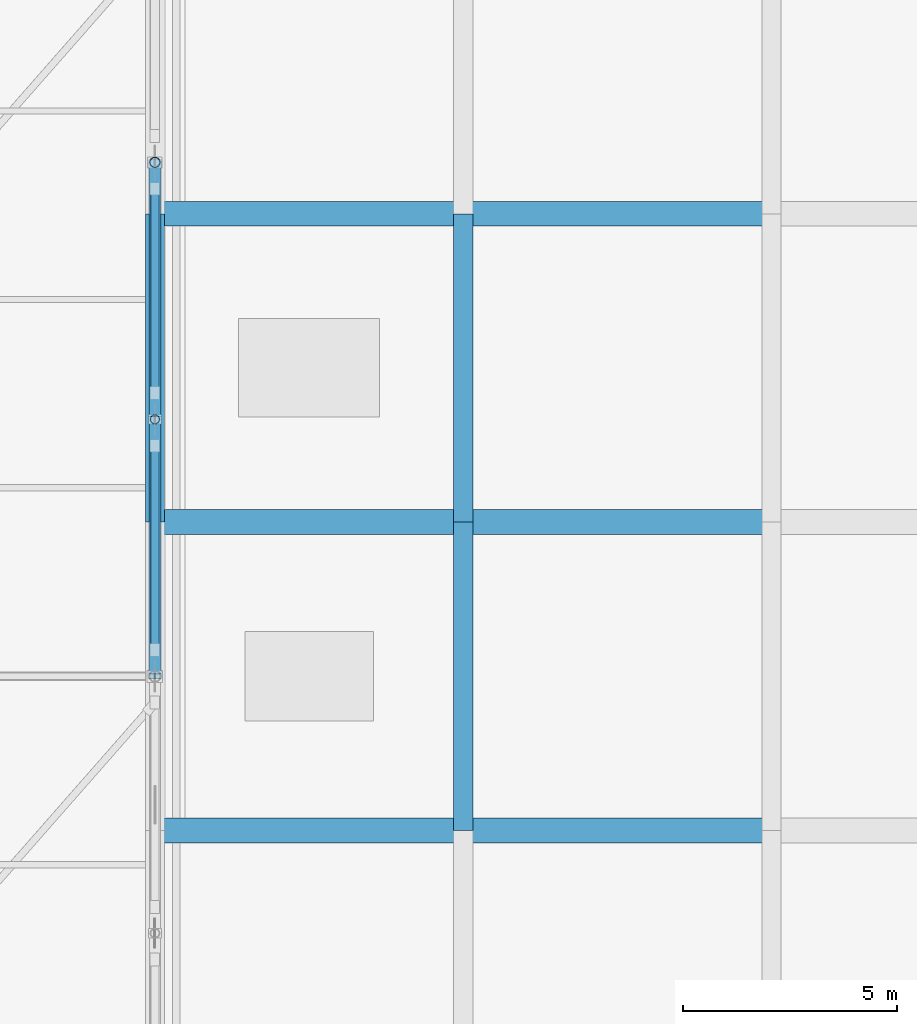
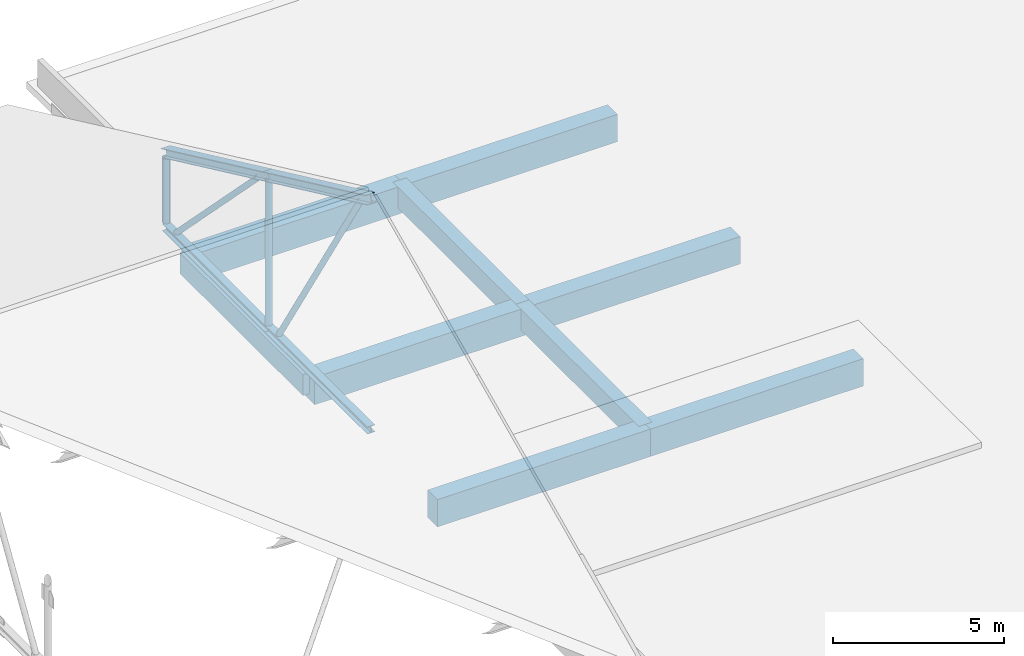
# One storey, part 110 of 141: 9 beams, 8 members, 1 element without a shape of its own.
"""IFC4 building model written with IfcOpenShell, lengths in metres."""

from ifc_helpers import new_model, si_unit, direction, frame, origin, origin_2d, place, context, subcontext, project, spatial, rectangle, hollow_circle, i_section, extrude, material, material_profile, profile_set, type_object, element, aggregate, save


model = new_model("IFC4")

# Units and contexts
model_context = context("Model", 3, precision=1e-05, world=origin(), true_north=direction((0.0, 1.0)))
body_context = subcontext(model_context, "Body", "Model", "MODEL_VIEW")
ifc_project = project(units=[si_unit("LENGTHUNIT", "METRE"), si_unit("AREAUNIT", "SQUARE_METRE"), si_unit("VOLUMEUNIT", "CUBIC_METRE"), si_unit("PLANEANGLEUNIT", "RADIAN"), si_unit("MASSUNIT", "GRAM", prefix="KILO")], contexts=[model_context])

# Site, building, storey
site_placement = place(None, origin())
site = spatial("IfcSite", under=ifc_project, at=site_placement, CompositionType="ELEMENT")
building_placement = place(site_placement, origin())
building = spatial("IfcBuilding", under=site, at=building_placement, Name="Seraya Terrace Polytechnic", CompositionType="ELEMENT")
storey_placement = place(building_placement, frame((0.0, 0.0, 14.39990234375)))
storey = spatial("IfcBuildingStorey", under=building, at=storey_placement, Name="L03", CompositionType="ELEMENT", Elevation=14.39990234375)

# Assembly, members
ifc_material_1 = material(Name="Steel S355J2", Category="steel")
element_assembly_type = type_object("IfcElementAssemblyType", Name="TR-A1", PredefinedType="TRUSS", material=ifc_material_1)
assembly_placement = place(storey_placement, origin())
assembly = element("IfcElementAssembly", 1, at=assembly_placement, inside=storey, type_object=element_assembly_type, Name="Pitched steel roof truss TR-08", AssemblyPlace="SITE", PredefinedType="TRUSS")
ifc_material_profile_1 = material_profile(ifc_material_1, i_section(OverallWidth=0.25390625, OverallDepth=0.25390625, WebThickness=0.0107421875, FlangeThickness=0.017333984375, at=origin_2d()), Name="UKC 254x254x10.7x17.3")
ifc_profile_set_1 = profile_set([ifc_material_profile_1], Name="Steel S355J2")
member_type_1 = type_object("IfcMemberType", Name="BC-02", PredefinedType="CHORD", material=ifc_profile_set_1)
member_1_placement = place(storey_placement, frame((115.199951171875, 97.199951171875, 0.150146484375), z_axis=(0.0, 1.0, 0.0), x_axis=(-1.0, 0.0, 0.0)))
member_1 = element("IfcMember", 2, at=member_1_placement, type_object=member_type_1, Name="TR-08 bottom chord 4", PredefinedType="CHORD", context=body_context, shape_type="SweptSolid", body=[
    extrude(i_section(OverallWidth=0.25390625, OverallDepth=0.25390625, WebThickness=0.0107421875, FlangeThickness=0.017333984375, at=origin_2d()), origin(), (0.0, 0.0, 1.0), 6.0),
])
member_2_placement = place(storey_placement, frame((115.199951171875, 103.199951171875, 0.150146484375), z_axis=(0.0, 1.0, 0.0), x_axis=(-1.0, 0.0, 0.0)))
member_2 = element("IfcMember", 3, at=member_2_placement, type_object=member_type_1, Name="TR-08 bottom chord 5", PredefinedType="CHORD", context=body_context, shape_type="SweptSolid", body=[
    extrude(i_section(OverallWidth=0.25390625, OverallDepth=0.25390625, WebThickness=0.0107421875, FlangeThickness=0.017333984375, at=origin_2d()), origin(), (0.0, 0.0, 1.0), 6.0),
])

# Beams
ifc_material_2 = material(Name="Concrete C40/50", Category="concrete")
ifc_material_profile_2 = material_profile(ifc_material_2, rectangle(XDim=0.580078125, YDim=0.97998046875, at=origin_2d()), Name="RC 580x980")
ifc_profile_set_2 = profile_set([ifc_material_profile_2], Name="Concrete C40/50")
beam_type_1 = type_object("IfcBeamType", Name="BM-02", PredefinedType="BEAM", material=ifc_profile_set_2)
beam_1_placement = place(storey_placement, frame((115.199951171875, 93.60009765625, -0.489990234375), z_axis=(1.0, 0.0, 0.0), x_axis=(0.0, 1.0, 0.0)))
element("IfcBeam", 4, at=beam_1_placement, inside=storey, type_object=beam_type_1, Name="Beam BM-02 L03 X (115.2..122.4, 93.6)", PredefinedType="BEAM", context=body_context, shape_type="SweptSolid", body=[
    extrude(rectangle(XDim=0.580078125, YDim=0.97998046875, at=origin_2d()), origin(), (0.0, 0.0, 1.0), 7.199951171875),
])
beam_2_placement = place(storey_placement, frame((122.39990234375, 93.60009765625, -0.489990234375), z_axis=(1.0, 0.0, 0.0), x_axis=(0.0, 1.0, 0.0)))
element("IfcBeam", 5, at=beam_2_placement, inside=storey, type_object=beam_type_1, Name="Beam BM-02 L03 X (122.4..129.6, 93.6)", PredefinedType="BEAM", context=body_context, shape_type="SweptSolid", body=[
    extrude(rectangle(XDim=0.580078125, YDim=0.97998046875, at=origin_2d()), origin(), (0.0, 0.0, 1.0), 7.2001953125),
])
beam_3_placement = place(storey_placement, frame((115.199951171875, 100.800048828125, -0.489990234375), z_axis=(1.0, 0.0, 0.0), x_axis=(0.0, 1.0, 0.0)))
element("IfcBeam", 6, at=beam_3_placement, inside=storey, type_object=beam_type_1, Name="Beam BM-02 L03 X (115.2..122.4, 100.8)", PredefinedType="BEAM", context=body_context, shape_type="SweptSolid", body=[
    extrude(rectangle(XDim=0.580078125, YDim=0.97998046875, at=origin_2d()), origin(), (0.0, 0.0, 1.0), 7.199951171875),
])
beam_4_placement = place(storey_placement, frame((122.39990234375, 100.800048828125, -0.489990234375), z_axis=(1.0, 0.0, 0.0), x_axis=(0.0, 1.0, 0.0)))
element("IfcBeam", 7, at=beam_4_placement, inside=storey, type_object=beam_type_1, Name="Beam BM-02 L03 X (122.4..129.6, 100.8)", PredefinedType="BEAM", context=body_context, shape_type="SweptSolid", body=[
    extrude(rectangle(XDim=0.580078125, YDim=0.97998046875, at=origin_2d()), origin(), (0.0, 0.0, 1.0), 7.2001953125),
])
beam_5_placement = place(storey_placement, frame((115.199951171875, 108.0, -0.489990234375), z_axis=(1.0, 0.0, 0.0), x_axis=(0.0, 1.0, 0.0)))
element("IfcBeam", 8, at=beam_5_placement, inside=storey, type_object=beam_type_1, Name="Beam BM-02 L03 X (115.2..122.4, 108.0)", PredefinedType="BEAM", context=body_context, shape_type="SweptSolid", body=[
    extrude(rectangle(XDim=0.580078125, YDim=0.97998046875, at=origin_2d()), origin(), (0.0, 0.0, 1.0), 7.199951171875),
])
beam_6_placement = place(storey_placement, frame((122.39990234375, 108.0, -0.489990234375), z_axis=(1.0, 0.0, 0.0), x_axis=(0.0, 1.0, 0.0)))
element("IfcBeam", 9, at=beam_6_placement, inside=storey, type_object=beam_type_1, Name="Beam BM-02 L03 X (122.4..129.6, 108.0)", PredefinedType="BEAM", context=body_context, shape_type="SweptSolid", body=[
    extrude(rectangle(XDim=0.580078125, YDim=0.97998046875, at=origin_2d()), origin(), (0.0, 0.0, 1.0), 7.2001953125),
])
ifc_material_profile_3 = material_profile(ifc_material_2, rectangle(XDim=0.449951171875, YDim=0.75, at=origin_2d()), Name="RC 450x750")
ifc_profile_set_3 = profile_set([ifc_material_profile_3], Name="Concrete C40/50")
beam_type_2 = type_object("IfcBeamType", Name="BM-08", PredefinedType="BEAM", material=ifc_profile_set_3)
for number, where, z_axis, x_axis, name in (
    (10, (115.199951171875, 100.800048828125, -0.375), (0.0, 1.0, 0.0), (-1.0, 0.0, 0.0), "Beam BM-08 L03 Y (115.2, 100.8..108.0)"),
    (11, (122.39990234375, 93.60009765625, -0.375), (0.0, 1.0, 0.0), (-1.0, 0.0, 0.0), "Beam BM-08 L03 Y (122.4, 93.6..100.8)"),
    (12, (122.39990234375, 100.800048828125, -0.375), (0.0, 1.0, 0.0), (-1.0, 0.0, 0.0), "Beam BM-08 L03 Y (122.4, 100.8..108.0)"),
):
    element("IfcBeam", number, at=place(storey_placement, frame(where, z_axis=z_axis, x_axis=x_axis)), inside=storey, type_object=beam_type_2, Name=name, PredefinedType="BEAM", context=body_context, shape_type="SweptSolid", body=[
        extrude(rectangle(XDim=0.449951171875, YDim=0.75, at=origin_2d()), origin(), (0.0, 0.0, 1.0), 7.199951171875),
    ])

# Member
ifc_material_profile_4 = material_profile(ifc_material_1, hollow_circle(Radius=0.096923828125, WallThickness=0.010009765625, at=origin_2d()), Name="CHS 193.7x10.0")
ifc_profile_set_4 = profile_set([ifc_material_profile_4], Name="Steel S355J2")
member_type_2 = type_object("IfcMemberType", Name="BR-02", PredefinedType="BRACE", material=ifc_profile_set_4)
member_3_placement = place(storey_placement, frame((115.199951171875, 97.820068359375, 7.9443359375), z_axis=(0.0, 0.528137409747, -0.84915892295), x_axis=(-1.0, 0.0, 0.0)))
member_3 = element("IfcMember", 13, at=member_3_placement, type_object=member_type_2, Name="TR-08 web diagonal 4", PredefinedType="BRACE", context=body_context, shape_type="SweptSolid", body=[
    extrude(hollow_circle(Radius=0.096923828125, WallThickness=0.010009765625, at=origin_2d()), origin(), (0.0, 0.0, 1.0), 9.012939453125),
])

member_4_placement = place(storey_placement, frame((115.199951171875, 103.820068359375, 5.144287109375), z_axis=(0.0, 0.700213947338, -0.713933069659), x_axis=(-1.0, 0.0, 0.0)))
member_4 = element("IfcMember", 14, at=member_4_placement, type_object=member_type_2, Name="TR-08 web diagonal 5", PredefinedType="BRACE", context=body_context, shape_type="SweptSolid", body=[
    extrude(hollow_circle(Radius=0.096923828125, WallThickness=0.010009765625, at=origin_2d()), origin(), (0.0, 0.0, 1.0), 6.7978515625),
])

ifc_material_profile_5 = material_profile(ifc_material_1, hollow_circle(Radius=0.122314453125, WallThickness=0.012451171875, at=origin_2d()), Name="CHS 244.5x12.5")
ifc_profile_set_5 = profile_set([ifc_material_profile_5], Name="Steel S355J2")
member_type_3 = type_object("IfcMemberType", Name="ST-M2", PredefinedType="STRUT", material=ifc_profile_set_5)
member_5_placement = place(storey_placement, frame((115.199951171875, 109.199951171875, 0.306640625), z_axis=(0.0, 0.0, 1.0), x_axis=(1.0, 0.0, 0.0)))
member_5 = element("IfcMember", 15, at=member_5_placement, type_object=member_type_3, Name="TR-08 vertical strut 6", PredefinedType="STRUT", context=body_context, shape_type="SweptSolid", body=[
    extrude(hollow_circle(Radius=0.122314453125, WallThickness=0.012451171875, at=origin_2d()), origin(), (0.0, 0.0, 1.0), 2.3115234375),
])

ifc_material_profile_6 = material_profile(ifc_material_1, hollow_circle(Radius=0.109619140625, WallThickness=0.010009765625, at=origin_2d()), Name="CHS 219.1x10.0")
ifc_profile_set_6 = profile_set([ifc_material_profile_6], Name="Steel S355J2")
member_type_4 = type_object("IfcMemberType", Name="ST-M3", PredefinedType="STRUT", material=ifc_profile_set_6)
member_6_placement = place(storey_placement, frame((115.199951171875, 103.199951171875, 0.281005859375), z_axis=(0.0, 0.0, 1.0), x_axis=(1.0, 0.0, 0.0)))
member_6 = element("IfcMember", 16, at=member_6_placement, type_object=member_type_4, Name="TR-08 vertical strut 5", PredefinedType="STRUT", context=body_context, shape_type="SweptSolid", body=[
    extrude(hollow_circle(Radius=0.109619140625, WallThickness=0.010009765625, at=origin_2d()), origin(), (0.0, 0.0, 1.0), 5.16259765625),
])

ifc_material_profile_7 = material_profile(ifc_material_1, i_section(OverallWidth=0.304931640625, OverallDepth=0.304931640625, WebThickness=0.011962890625, FlangeThickness=0.019775390625, at=origin_2d()), Name="UKC 305x305x12.0x19.7")
ifc_profile_set_7 = profile_set([ifc_material_profile_7], Name="Steel S355J2")
member_type_5 = type_object("IfcMemberType", Name="TC-02", PredefinedType="CHORD", material=ifc_profile_set_7)
member_7_placement = place(storey_placement, frame((115.199951171875, 97.199951171875, 8.400146484375), z_axis=(0.0, 0.906180313975, -0.422891521036), x_axis=(-1.0, 0.0, 0.0)))
member_7 = element("IfcMember", 17, at=member_7_placement, type_object=member_type_5, Name="TR-08 top chord 4", PredefinedType="CHORD", context=body_context, shape_type="SweptSolid", body=[
    extrude(i_section(OverallWidth=0.304931640625, OverallDepth=0.304931640625, WebThickness=0.011962890625, FlangeThickness=0.019775390625, at=origin_2d()), origin(), (0.0, 0.0, 1.0), 6.62109375),
])

member_8_placement = place(storey_placement, frame((115.199951171875, 103.199951171875, 5.60009765625), z_axis=(0.0, 0.906180313975, -0.422891521036), x_axis=(-1.0, 0.0, 0.0)))
member_8 = element("IfcMember", 18, at=member_8_placement, type_object=member_type_5, Name="TR-08 top chord 5", PredefinedType="CHORD", context=body_context, shape_type="SweptSolid", body=[
    extrude(i_section(OverallWidth=0.304931640625, OverallDepth=0.304931640625, WebThickness=0.011962890625, FlangeThickness=0.019775390625, at=origin_2d()), origin(), (0.0, 0.0, 1.0), 6.62109375),
])

aggregate(assembly, [member_1, member_7, member_2, member_8, member_6, member_5, member_3, member_4])

save(model, "model.ifc")
